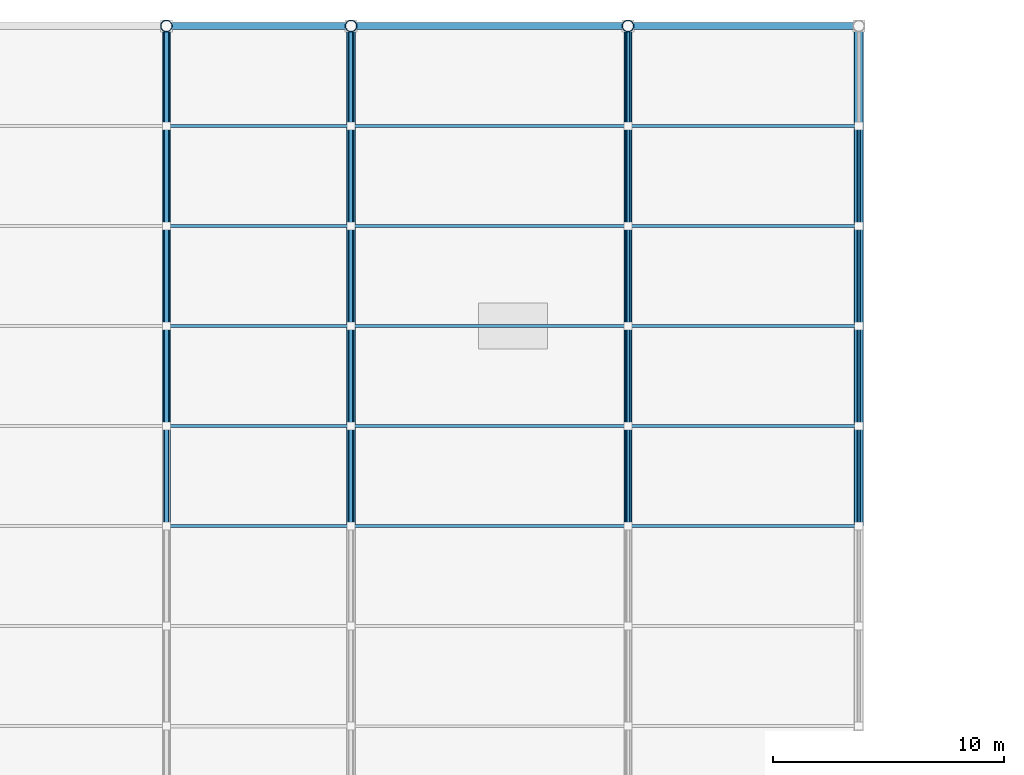
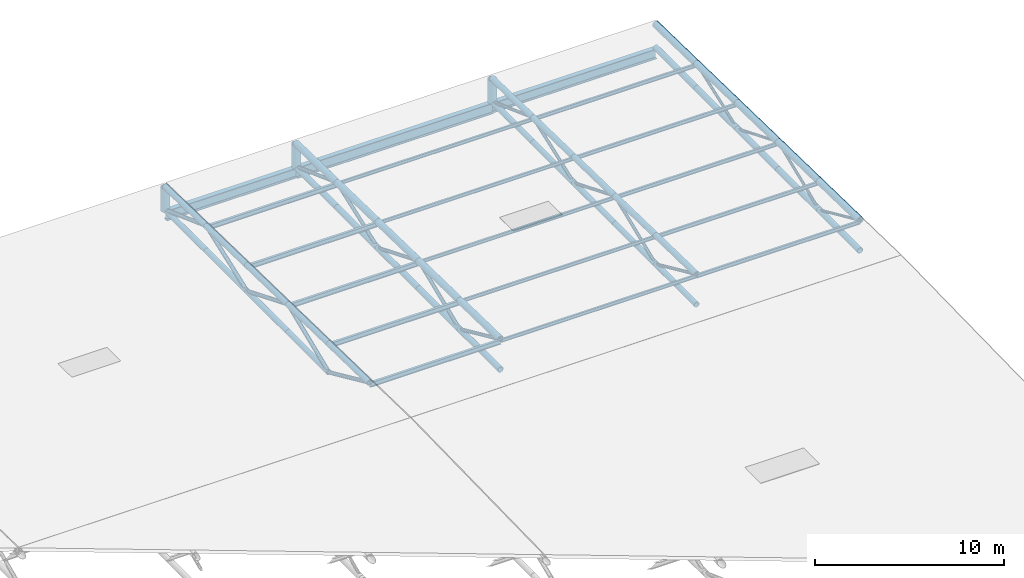
# One storey, part 54 of 75: 76 members, 3 beams.
"""IFC4 building model written with IfcOpenShell, lengths in metres."""

from ifc_helpers import new_model, si_unit, direction, frame, origin, origin_2d, place, context, subcontext, project, spatial, hollow_circle, i_section, extrude, material, material_profile, profile_set, type_object, element, save


model = new_model("IFC4")

# Units and contexts
model_context = context("Model", 3, precision=1e-05, world=origin(), true_north=direction((0.0, 1.0)))
body_context = subcontext(model_context, "Body", "Model", "MODEL_VIEW")
ifc_project = project(units=[si_unit("LENGTHUNIT", "METRE"), si_unit("AREAUNIT", "SQUARE_METRE"), si_unit("VOLUMEUNIT", "CUBIC_METRE"), si_unit("PLANEANGLEUNIT", "RADIAN"), si_unit("MASSUNIT", "GRAM", prefix="KILO")], contexts=[model_context])

# Site, building, storey
site_placement = place(None, origin())
site = spatial("IfcSite", under=ifc_project, at=site_placement, CompositionType="ELEMENT")
building_placement = place(site_placement, origin())
building = spatial("IfcBuilding", under=site, at=building_placement, Name="Khorjan Park Terminus", CompositionType="ELEMENT")
storey_placement = place(building_placement, frame((0.0, 0.0, 16.2)))
storey = spatial("IfcBuildingStorey", under=building, at=storey_placement, Name="L03", CompositionType="ELEMENT", Elevation=16.2)

# Members
ifc_material = material(Name="Steel S355", Category="steel")
ifc_material_profile_1 = material_profile(ifc_material, hollow_circle(Radius=0.0842, WallThickness=0.008, at=origin_2d()), Name="CHS 168.3x8")
ifc_profile_set_1 = profile_set([ifc_material_profile_1], Name="Steel S355")
member_type_1 = type_object("IfcMemberType", Name="MB-BR-168", PredefinedType="BRACE", material=ifc_profile_set_1)
member_1_placement = place(storey_placement, frame((158.0, 132.3333, -0.6417), z_axis=(0.0, 0.911269553162, -0.411810395061), x_axis=(-1.0, 0.0, 0.0)))
element("IfcMember", 1, at=member_1_placement, inside=storey, type_object=member_type_1, Name="Train shed flat truss web diagonal TB-17 (T19)", PredefinedType="BRACE", context=body_context, shape_type="SweptSolid", body=[
    extrude(hollow_circle(Radius=0.0842, WallThickness=0.008, at=origin_2d()), origin(), (0.0, 0.0, 1.0), 4.7553),
])
for number, where, z_axis, x_axis, name in (
    (2, (158.0, 136.6667, -2.6), (0.0, 0.92537575721, 0.379051062481), (-1.0, 0.0, 0.0), "Train shed flat truss web diagonal TB-17 (T19)"),
    (3, (158.0, 141.0, -0.825), (0.0, 0.92537575721, -0.379051062481), (-1.0, 0.0, 0.0), "Train shed flat truss web diagonal TB-17 (T19)"),
):
    element("IfcMember", number, at=place(storey_placement, frame(where, z_axis=z_axis, x_axis=x_axis)), inside=storey, type_object=member_type_1, Name=name, PredefinedType="BRACE", context=body_context, shape_type="SweptSolid", body=[
        extrude(hollow_circle(Radius=0.0842, WallThickness=0.008, at=origin_2d()), origin(), (0.0, 0.0, 1.0), 4.6827),
    ])
member_2_placement = place(storey_placement, frame((158.0, 145.3333, -2.6), z_axis=(0.0, 0.938681062758, 0.344786691187), x_axis=(-1.0, 0.0, 0.0)))
element("IfcMember", 4, at=member_2_placement, inside=storey, type_object=member_type_1, Name="Train shed flat truss web diagonal TB-17 (T19)", PredefinedType="BRACE", context=body_context, shape_type="SweptSolid", body=[
    extrude(hollow_circle(Radius=0.0842, WallThickness=0.008, at=origin_2d()), origin(), (0.0, 0.0, 1.0), 4.6165),
])
ifc_material_profile_2 = material_profile(ifc_material, hollow_circle(Radius=0.0969, WallThickness=0.01, at=origin_2d()), Name="CHS 193.7x10")
ifc_profile_set_2 = profile_set([ifc_material_profile_2], Name="Steel S355")
member_type_2 = type_object("IfcMemberType", Name="MB-BR-194", PredefinedType="BRACE", material=ifc_profile_set_2)
member_3_placement = place(storey_placement, frame((148.0, 132.3333, -0.6417), z_axis=(0.0, 0.911269553162, -0.411810395061), x_axis=(-1.0, 0.0, 0.0)))
element("IfcMember", 5, at=member_3_placement, inside=storey, type_object=member_type_2, Name="Train shed flat truss web diagonal TB-19 (T18)", PredefinedType="BRACE", context=body_context, shape_type="SweptSolid", body=[
    extrude(hollow_circle(Radius=0.0969, WallThickness=0.01, at=origin_2d()), origin(), (0.0, 0.0, 1.0), 4.7553),
])
for number, where, z_axis, x_axis, name in (
    (6, (148.0, 136.6667, -2.6), (0.0, 0.92537575721, 0.379051062481), (-1.0, 0.0, 0.0), "Train shed flat truss web diagonal TB-19 (T18)"),
    (7, (148.0, 141.0, -0.825), (0.0, 0.92537575721, -0.379051062481), (-1.0, 0.0, 0.0), "Train shed flat truss web diagonal TB-19 (T18)"),
):
    element("IfcMember", number, at=place(storey_placement, frame(where, z_axis=z_axis, x_axis=x_axis)), inside=storey, type_object=member_type_2, Name=name, PredefinedType="BRACE", context=body_context, shape_type="SweptSolid", body=[
        extrude(hollow_circle(Radius=0.0969, WallThickness=0.01, at=origin_2d()), origin(), (0.0, 0.0, 1.0), 4.6827),
    ])
member_4_placement = place(storey_placement, frame((148.0, 145.3333, -2.6), z_axis=(0.0, 0.938681062758, 0.344786691187), x_axis=(-1.0, 0.0, 0.0)))
element("IfcMember", 8, at=member_4_placement, inside=storey, type_object=member_type_2, Name="Train shed flat truss web diagonal TB-19 (T18)", PredefinedType="BRACE", context=body_context, shape_type="SweptSolid", body=[
    extrude(hollow_circle(Radius=0.0969, WallThickness=0.01, at=origin_2d()), origin(), (0.0, 0.0, 1.0), 4.6165),
])
member_5_placement = place(storey_placement, frame((148.0, 149.6667, -1.0083), z_axis=(0.0, 0.938678487602, -0.344793701963), x_axis=(-1.0, 0.0, 0.0)))
element("IfcMember", 9, at=member_5_placement, inside=storey, type_object=member_type_2, Name="Train shed flat truss web diagonal TB-19 (T18)", PredefinedType="BRACE", context=body_context, shape_type="SweptSolid", body=[
    extrude(hollow_circle(Radius=0.0969, WallThickness=0.01, at=origin_2d()), origin(), (0.0, 0.0, 1.0), 4.6164),
])
ifc_material_profile_3 = material_profile(ifc_material, hollow_circle(Radius=0.1095, WallThickness=0.01, at=origin_2d()), Name="CHS 219.1x10")
ifc_profile_set_3 = profile_set([ifc_material_profile_3], Name="Steel S355")
member_type_3 = type_object("IfcMemberType", Name="MB-BR-219", PredefinedType="BRACE", material=ifc_profile_set_3)
member_6_placement = place(storey_placement, frame((136.0, 132.3333, -0.6417), z_axis=(0.0, 0.911269553162, -0.411810395061), x_axis=(-1.0, 0.0, 0.0)))
element("IfcMember", 10, at=member_6_placement, inside=storey, type_object=member_type_3, Name="Train shed flat truss web diagonal TB-22 (T17)", PredefinedType="BRACE", context=body_context, shape_type="SweptSolid", body=[
    extrude(hollow_circle(Radius=0.1095, WallThickness=0.01, at=origin_2d()), origin(), (0.0, 0.0, 1.0), 4.7553),
])
for number, where, z_axis, x_axis, name in (
    (11, (136.0, 136.6667, -2.6), (0.0, 0.92537575721, 0.379051062481), (-1.0, 0.0, 0.0), "Train shed flat truss web diagonal TB-22 (T17)"),
    (12, (136.0, 141.0, -0.825), (0.0, 0.92537575721, -0.379051062481), (-1.0, 0.0, 0.0), "Train shed flat truss web diagonal TB-22 (T17)"),
):
    element("IfcMember", number, at=place(storey_placement, frame(where, z_axis=z_axis, x_axis=x_axis)), inside=storey, type_object=member_type_3, Name=name, PredefinedType="BRACE", context=body_context, shape_type="SweptSolid", body=[
        extrude(hollow_circle(Radius=0.1095, WallThickness=0.01, at=origin_2d()), origin(), (0.0, 0.0, 1.0), 4.6827),
    ])
member_7_placement = place(storey_placement, frame((136.0, 145.3333, -2.6), z_axis=(0.0, 0.938681062758, 0.344786691187), x_axis=(-1.0, 0.0, 0.0)))
element("IfcMember", 13, at=member_7_placement, inside=storey, type_object=member_type_3, Name="Train shed flat truss web diagonal TB-22 (T17)", PredefinedType="BRACE", context=body_context, shape_type="SweptSolid", body=[
    extrude(hollow_circle(Radius=0.1095, WallThickness=0.01, at=origin_2d()), origin(), (0.0, 0.0, 1.0), 4.6165),
])
member_8_placement = place(storey_placement, frame((136.0, 149.6667, -1.0083), z_axis=(0.0, 0.938678487602, -0.344793701963), x_axis=(-1.0, 0.0, 0.0)))
element("IfcMember", 14, at=member_8_placement, inside=storey, type_object=member_type_3, Name="Train shed flat truss web diagonal TB-22 (T17)", PredefinedType="BRACE", context=body_context, shape_type="SweptSolid", body=[
    extrude(hollow_circle(Radius=0.1095, WallThickness=0.01, at=origin_2d()), origin(), (0.0, 0.0, 1.0), 4.6164),
])
ifc_material_profile_4 = material_profile(ifc_material, hollow_circle(Radius=0.1222, WallThickness=0.0125, at=origin_2d()), Name="CHS 244.5x12.5")
ifc_profile_set_4 = profile_set([ifc_material_profile_4], Name="Steel S355")
member_type_4 = type_object("IfcMemberType", Name="MB-BR-245", PredefinedType="BRACE", material=ifc_profile_set_4)
member_9_placement = place(storey_placement, frame((128.0, 132.3333, -0.6417), z_axis=(0.0, 0.911269553162, -0.411810395061), x_axis=(-1.0, 0.0, 0.0)))
element("IfcMember", 15, at=member_9_placement, inside=storey, type_object=member_type_4, Name="Train shed flat truss web diagonal TB-24 (T16)", PredefinedType="BRACE", context=body_context, shape_type="SweptSolid", body=[
    extrude(hollow_circle(Radius=0.1222, WallThickness=0.0125, at=origin_2d()), origin(), (0.0, 0.0, 1.0), 4.7553),
])
for number, where, z_axis, x_axis, name in (
    (16, (128.0, 136.6667, -2.6), (0.0, 0.92537575721, 0.379051062481), (-1.0, 0.0, 0.0), "Train shed flat truss web diagonal TB-24 (T16)"),
    (17, (128.0, 141.0, -0.825), (0.0, 0.92537575721, -0.379051062481), (-1.0, 0.0, 0.0), "Train shed flat truss web diagonal TB-24 (T16)"),
):
    element("IfcMember", number, at=place(storey_placement, frame(where, z_axis=z_axis, x_axis=x_axis)), inside=storey, type_object=member_type_4, Name=name, PredefinedType="BRACE", context=body_context, shape_type="SweptSolid", body=[
        extrude(hollow_circle(Radius=0.1222, WallThickness=0.0125, at=origin_2d()), origin(), (0.0, 0.0, 1.0), 4.6827),
    ])
member_10_placement = place(storey_placement, frame((128.0, 145.3333, -2.6), z_axis=(0.0, 0.938681062758, 0.344786691187), x_axis=(-1.0, 0.0, 0.0)))
element("IfcMember", 18, at=member_10_placement, inside=storey, type_object=member_type_4, Name="Train shed flat truss web diagonal TB-24 (T16)", PredefinedType="BRACE", context=body_context, shape_type="SweptSolid", body=[
    extrude(hollow_circle(Radius=0.1222, WallThickness=0.0125, at=origin_2d()), origin(), (0.0, 0.0, 1.0), 4.6165),
])
member_11_placement = place(storey_placement, frame((128.0, 149.6667, -1.0083), z_axis=(0.0, 0.938678487602, -0.344793701963), x_axis=(-1.0, 0.0, 0.0)))
element("IfcMember", 19, at=member_11_placement, inside=storey, type_object=member_type_4, Name="Train shed flat truss web diagonal TB-24 (T16)", PredefinedType="BRACE", context=body_context, shape_type="SweptSolid", body=[
    extrude(hollow_circle(Radius=0.1222, WallThickness=0.0125, at=origin_2d()), origin(), (0.0, 0.0, 1.0), 4.6164),
])
ifc_material_profile_5 = material_profile(ifc_material, hollow_circle(Radius=0.162, WallThickness=0.0125, at=origin_2d()), Name="CHS 323.9x12.5")
ifc_profile_set_5 = profile_set([ifc_material_profile_5], Name="Steel S355")
member_type_5 = type_object("IfcMemberType", Name="MB-CH-324", PredefinedType="CHORD", material=ifc_profile_set_5)
for number, where, z_axis, x_axis, name in (
    (20, (128.0, 136.6667, -2.6), (0.0, 1.0, 0.0), (-1.0, 0.0, 0.0), "Train shed flat truss bottom chord TC-32 (T16)"),
    (21, (128.0, 141.0, -2.6), (0.0, 1.0, 0.0), (-1.0, 0.0, 0.0), "Train shed flat truss bottom chord TC-32 (T16)"),
):
    element("IfcMember", number, at=place(storey_placement, frame(where, z_axis=z_axis, x_axis=x_axis)), inside=storey, type_object=member_type_5, Name=name, PredefinedType="CHORD", context=body_context, shape_type="SweptSolid", body=[
        extrude(hollow_circle(Radius=0.162, WallThickness=0.0125, at=origin_2d()), origin(), (0.0, 0.0, 1.0), 4.3333),
    ])
member_12_placement = place(storey_placement, frame((128.0, 145.3333, -2.6), z_axis=(0.0, 1.0, 0.0), x_axis=(-1.0, 0.0, 0.0)))
element("IfcMember", 22, at=member_12_placement, inside=storey, type_object=member_type_5, Name="Train shed flat truss bottom chord TC-32 (T16)", PredefinedType="CHORD", context=body_context, shape_type="SweptSolid", body=[
    extrude(hollow_circle(Radius=0.162, WallThickness=0.0125, at=origin_2d()), origin(), (0.0, 0.0, 1.0), 4.3334),
])
member_13_placement = place(storey_placement, frame((128.0, 149.6667, -2.6), z_axis=(0.0, 1.0, 0.0), x_axis=(-1.0, 0.0, 0.0)))
element("IfcMember", 23, at=member_13_placement, inside=storey, type_object=member_type_5, Name="Train shed flat truss bottom chord TC-32 (T16)", PredefinedType="CHORD", context=body_context, shape_type="SweptSolid", body=[
    extrude(hollow_circle(Radius=0.162, WallThickness=0.0125, at=origin_2d()), origin(), (0.0, 0.0, 1.0), 4.3333),
])
member_14_placement = place(storey_placement, frame((148.0, 132.3333, -2.6), z_axis=(0.0, 1.0, 0.0), x_axis=(-1.0, 0.0, 0.0)))
element("IfcMember", 24, at=member_14_placement, inside=storey, type_object=member_type_5, Name="Train shed flat truss bottom chord TC-32 (T18)", PredefinedType="CHORD", context=body_context, shape_type="SweptSolid", body=[
    extrude(hollow_circle(Radius=0.162, WallThickness=0.0125, at=origin_2d()), origin(), (0.0, 0.0, 1.0), 4.3334),
])
for number, where, z_axis, x_axis, name in (
    (25, (148.0, 136.6667, -2.6), (0.0, 1.0, 0.0), (-1.0, 0.0, 0.0), "Train shed flat truss bottom chord TC-32 (T18)"),
    (26, (148.0, 141.0, -2.6), (0.0, 1.0, 0.0), (-1.0, 0.0, 0.0), "Train shed flat truss bottom chord TC-32 (T18)"),
):
    element("IfcMember", number, at=place(storey_placement, frame(where, z_axis=z_axis, x_axis=x_axis)), inside=storey, type_object=member_type_5, Name=name, PredefinedType="CHORD", context=body_context, shape_type="SweptSolid", body=[
        extrude(hollow_circle(Radius=0.162, WallThickness=0.0125, at=origin_2d()), origin(), (0.0, 0.0, 1.0), 4.3333),
    ])
member_15_placement = place(storey_placement, frame((148.0, 145.3333, -2.6), z_axis=(0.0, 1.0, 0.0), x_axis=(-1.0, 0.0, 0.0)))
element("IfcMember", 27, at=member_15_placement, inside=storey, type_object=member_type_5, Name="Train shed flat truss bottom chord TC-32 (T18)", PredefinedType="CHORD", context=body_context, shape_type="SweptSolid", body=[
    extrude(hollow_circle(Radius=0.162, WallThickness=0.0125, at=origin_2d()), origin(), (0.0, 0.0, 1.0), 4.3334),
])
member_16_placement = place(storey_placement, frame((148.0, 149.6667, -2.6), z_axis=(0.0, 1.0, 0.0), x_axis=(-1.0, 0.0, 0.0)))
element("IfcMember", 28, at=member_16_placement, inside=storey, type_object=member_type_5, Name="Train shed flat truss bottom chord TC-32 (T18)", PredefinedType="CHORD", context=body_context, shape_type="SweptSolid", body=[
    extrude(hollow_circle(Radius=0.162, WallThickness=0.0125, at=origin_2d()), origin(), (0.0, 0.0, 1.0), 4.3333),
])
ifc_material_profile_6 = material_profile(ifc_material, hollow_circle(Radius=0.1778, WallThickness=0.016, at=origin_2d()), Name="CHS 355.6x16")
ifc_profile_set_6 = profile_set([ifc_material_profile_6], Name="Steel S355")
member_type_6 = type_object("IfcMemberType", Name="MB-CH-356", PredefinedType="CHORD", material=ifc_profile_set_6)
member_17_placement = place(storey_placement, frame((128.0, 132.3333, -0.6417), z_axis=(0.0, 0.999776664437, -0.021133415439), x_axis=(-1.0, 0.0, 0.0)))
element("IfcMember", 29, at=member_17_placement, inside=storey, type_object=member_type_6, Name="Train shed flat truss top chord TC-36 (T16)", PredefinedType="CHORD", context=body_context, shape_type="SweptSolid", body=[
    extrude(hollow_circle(Radius=0.1778, WallThickness=0.016, at=origin_2d()), origin(), (0.0, 0.0, 1.0), 4.3344),
])
for number, where, z_axis, x_axis, name in (
    (30, (128.0, 136.6667, -0.7333), (0.0, 0.999776166375, -0.021156964544), (-1.0, 0.0, 0.0), "Train shed flat truss top chord TC-36 (T16)"),
    (31, (128.0, 141.0, -0.825), (0.0, 0.999776166375, -0.021156964544), (-1.0, 0.0, 0.0), "Train shed flat truss top chord TC-36 (T16)"),
):
    element("IfcMember", number, at=place(storey_placement, frame(where, z_axis=z_axis, x_axis=x_axis)), inside=storey, type_object=member_type_6, Name=name, PredefinedType="CHORD", context=body_context, shape_type="SweptSolid", body=[
        extrude(hollow_circle(Radius=0.1778, WallThickness=0.016, at=origin_2d()), origin(), (0.0, 0.0, 1.0), 4.3343),
    ])
member_18_placement = place(storey_placement, frame((128.0, 145.3333, -0.9167), z_axis=(0.0, 0.999776664437, -0.021133415439), x_axis=(-1.0, 0.0, 0.0)))
element("IfcMember", 32, at=member_18_placement, inside=storey, type_object=member_type_6, Name="Train shed flat truss top chord TC-36 (T16)", PredefinedType="CHORD", context=body_context, shape_type="SweptSolid", body=[
    extrude(hollow_circle(Radius=0.1778, WallThickness=0.016, at=origin_2d()), origin(), (0.0, 0.0, 1.0), 4.3344),
])
member_19_placement = place(storey_placement, frame((128.0, 149.6667, -1.0083), z_axis=(0.0, 0.999776166375, -0.021156964544), x_axis=(-1.0, 0.0, 0.0)))
element("IfcMember", 33, at=member_19_placement, inside=storey, type_object=member_type_6, Name="Train shed flat truss top chord TC-36 (T16)", PredefinedType="CHORD", context=body_context, shape_type="SweptSolid", body=[
    extrude(hollow_circle(Radius=0.1778, WallThickness=0.016, at=origin_2d()), origin(), (0.0, 0.0, 1.0), 4.3343),
])
member_20_placement = place(storey_placement, frame((136.0, 132.3333, -2.6), z_axis=(0.0, 1.0, 0.0), x_axis=(-1.0, 0.0, 0.0)))
element("IfcMember", 34, at=member_20_placement, inside=storey, type_object=member_type_6, Name="Train shed flat truss bottom chord TC-36 (T17)", PredefinedType="CHORD", context=body_context, shape_type="SweptSolid", body=[
    extrude(hollow_circle(Radius=0.1778, WallThickness=0.016, at=origin_2d()), origin(), (0.0, 0.0, 1.0), 4.3334),
])
for number, where, z_axis, x_axis, name in (
    (35, (136.0, 136.6667, -2.6), (0.0, 1.0, 0.0), (-1.0, 0.0, 0.0), "Train shed flat truss bottom chord TC-36 (T17)"),
    (36, (136.0, 141.0, -2.6), (0.0, 1.0, 0.0), (-1.0, 0.0, 0.0), "Train shed flat truss bottom chord TC-36 (T17)"),
):
    element("IfcMember", number, at=place(storey_placement, frame(where, z_axis=z_axis, x_axis=x_axis)), inside=storey, type_object=member_type_6, Name=name, PredefinedType="CHORD", context=body_context, shape_type="SweptSolid", body=[
        extrude(hollow_circle(Radius=0.1778, WallThickness=0.016, at=origin_2d()), origin(), (0.0, 0.0, 1.0), 4.3333),
    ])
member_21_placement = place(storey_placement, frame((136.0, 145.3333, -2.6), z_axis=(0.0, 1.0, 0.0), x_axis=(-1.0, 0.0, 0.0)))
element("IfcMember", 37, at=member_21_placement, inside=storey, type_object=member_type_6, Name="Train shed flat truss bottom chord TC-36 (T17)", PredefinedType="CHORD", context=body_context, shape_type="SweptSolid", body=[
    extrude(hollow_circle(Radius=0.1778, WallThickness=0.016, at=origin_2d()), origin(), (0.0, 0.0, 1.0), 4.3334),
])
member_22_placement = place(storey_placement, frame((136.0, 149.6667, -2.6), z_axis=(0.0, 1.0, 0.0), x_axis=(-1.0, 0.0, 0.0)))
element("IfcMember", 38, at=member_22_placement, inside=storey, type_object=member_type_6, Name="Train shed flat truss bottom chord TC-36 (T17)", PredefinedType="CHORD", context=body_context, shape_type="SweptSolid", body=[
    extrude(hollow_circle(Radius=0.1778, WallThickness=0.016, at=origin_2d()), origin(), (0.0, 0.0, 1.0), 4.3333),
])
member_23_placement = place(storey_placement, frame((148.0, 132.3333, -0.6417), z_axis=(0.0, 0.999776664437, -0.021133415439), x_axis=(-1.0, 0.0, 0.0)))
element("IfcMember", 39, at=member_23_placement, inside=storey, type_object=member_type_6, Name="Train shed flat truss top chord TC-36 (T18)", PredefinedType="CHORD", context=body_context, shape_type="SweptSolid", body=[
    extrude(hollow_circle(Radius=0.1778, WallThickness=0.016, at=origin_2d()), origin(), (0.0, 0.0, 1.0), 4.3344),
])
for number, where, z_axis, x_axis, name in (
    (40, (148.0, 136.6667, -0.7333), (0.0, 0.999776166375, -0.021156964544), (-1.0, 0.0, 0.0), "Train shed flat truss top chord TC-36 (T18)"),
    (41, (148.0, 141.0, -0.825), (0.0, 0.999776166375, -0.021156964544), (-1.0, 0.0, 0.0), "Train shed flat truss top chord TC-36 (T18)"),
):
    element("IfcMember", number, at=place(storey_placement, frame(where, z_axis=z_axis, x_axis=x_axis)), inside=storey, type_object=member_type_6, Name=name, PredefinedType="CHORD", context=body_context, shape_type="SweptSolid", body=[
        extrude(hollow_circle(Radius=0.1778, WallThickness=0.016, at=origin_2d()), origin(), (0.0, 0.0, 1.0), 4.3343),
    ])
member_24_placement = place(storey_placement, frame((148.0, 145.3333, -0.9167), z_axis=(0.0, 0.999776664437, -0.021133415439), x_axis=(-1.0, 0.0, 0.0)))
element("IfcMember", 42, at=member_24_placement, inside=storey, type_object=member_type_6, Name="Train shed flat truss top chord TC-36 (T18)", PredefinedType="CHORD", context=body_context, shape_type="SweptSolid", body=[
    extrude(hollow_circle(Radius=0.1778, WallThickness=0.016, at=origin_2d()), origin(), (0.0, 0.0, 1.0), 4.3344),
])
member_25_placement = place(storey_placement, frame((148.0, 149.6667, -1.0083), z_axis=(0.0, 0.999776166375, -0.021156964544), x_axis=(-1.0, 0.0, 0.0)))
element("IfcMember", 43, at=member_25_placement, inside=storey, type_object=member_type_6, Name="Train shed flat truss top chord TC-36 (T18)", PredefinedType="CHORD", context=body_context, shape_type="SweptSolid", body=[
    extrude(hollow_circle(Radius=0.1778, WallThickness=0.016, at=origin_2d()), origin(), (0.0, 0.0, 1.0), 4.3343),
])
member_26_placement = place(storey_placement, frame((158.0, 132.3333, -2.6), z_axis=(0.0, 1.0, 0.0), x_axis=(-1.0, 0.0, 0.0)))
element("IfcMember", 44, at=member_26_placement, inside=storey, type_object=member_type_6, Name="Train shed flat truss bottom chord TC-36 (T19)", PredefinedType="CHORD", context=body_context, shape_type="SweptSolid", body=[
    extrude(hollow_circle(Radius=0.1778, WallThickness=0.016, at=origin_2d()), origin(), (0.0, 0.0, 1.0), 4.3334),
])
for number, where, z_axis, x_axis, name in (
    (45, (158.0, 136.6667, -2.6), (0.0, 1.0, 0.0), (-1.0, 0.0, 0.0), "Train shed flat truss bottom chord TC-36 (T19)"),
    (46, (158.0, 141.0, -2.6), (0.0, 1.0, 0.0), (-1.0, 0.0, 0.0), "Train shed flat truss bottom chord TC-36 (T19)"),
):
    element("IfcMember", number, at=place(storey_placement, frame(where, z_axis=z_axis, x_axis=x_axis)), inside=storey, type_object=member_type_6, Name=name, PredefinedType="CHORD", context=body_context, shape_type="SweptSolid", body=[
        extrude(hollow_circle(Radius=0.1778, WallThickness=0.016, at=origin_2d()), origin(), (0.0, 0.0, 1.0), 4.3333),
    ])
member_27_placement = place(storey_placement, frame((158.0, 145.3333, -2.6), z_axis=(0.0, 1.0, 0.0), x_axis=(-1.0, 0.0, 0.0)))
element("IfcMember", 47, at=member_27_placement, inside=storey, type_object=member_type_6, Name="Train shed flat truss bottom chord TC-36 (T19)", PredefinedType="CHORD", context=body_context, shape_type="SweptSolid", body=[
    extrude(hollow_circle(Radius=0.1778, WallThickness=0.016, at=origin_2d()), origin(), (0.0, 0.0, 1.0), 4.3334),
])
member_28_placement = place(storey_placement, frame((158.0, 149.6667, -2.6), z_axis=(0.0, 1.0, 0.0), x_axis=(-1.0, 0.0, 0.0)))
element("IfcMember", 48, at=member_28_placement, inside=storey, type_object=member_type_6, Name="Train shed flat truss bottom chord TC-36 (T19)", PredefinedType="CHORD", context=body_context, shape_type="SweptSolid", body=[
    extrude(hollow_circle(Radius=0.1778, WallThickness=0.016, at=origin_2d()), origin(), (0.0, 0.0, 1.0), 4.3333),
])
ifc_material_profile_7 = material_profile(ifc_material, hollow_circle(Radius=0.2032, WallThickness=0.016, at=origin_2d()), Name="CHS 406.4x16")
ifc_profile_set_7 = profile_set([ifc_material_profile_7], Name="Steel S355")
member_type_7 = type_object("IfcMemberType", Name="MB-CH-406", PredefinedType="CHORD", material=ifc_profile_set_7)
member_29_placement = place(storey_placement, frame((136.0, 132.3333, -0.6417), z_axis=(0.0, 0.999776664437, -0.021133415439), x_axis=(-1.0, 0.0, 0.0)))
element("IfcMember", 49, at=member_29_placement, inside=storey, type_object=member_type_7, Name="Train shed flat truss top chord TC-41 (T17)", PredefinedType="CHORD", context=body_context, shape_type="SweptSolid", body=[
    extrude(hollow_circle(Radius=0.2032, WallThickness=0.016, at=origin_2d()), origin(), (0.0, 0.0, 1.0), 4.3344),
])
for number, where, z_axis, x_axis, name in (
    (50, (136.0, 136.6667, -0.7333), (0.0, 0.999776166375, -0.021156964544), (-1.0, 0.0, 0.0), "Train shed flat truss top chord TC-41 (T17)"),
    (51, (136.0, 141.0, -0.825), (0.0, 0.999776166375, -0.021156964544), (-1.0, 0.0, 0.0), "Train shed flat truss top chord TC-41 (T17)"),
):
    element("IfcMember", number, at=place(storey_placement, frame(where, z_axis=z_axis, x_axis=x_axis)), inside=storey, type_object=member_type_7, Name=name, PredefinedType="CHORD", context=body_context, shape_type="SweptSolid", body=[
        extrude(hollow_circle(Radius=0.2032, WallThickness=0.016, at=origin_2d()), origin(), (0.0, 0.0, 1.0), 4.3343),
    ])
member_30_placement = place(storey_placement, frame((136.0, 145.3333, -0.9167), z_axis=(0.0, 0.999776664437, -0.021133415439), x_axis=(-1.0, 0.0, 0.0)))
element("IfcMember", 52, at=member_30_placement, inside=storey, type_object=member_type_7, Name="Train shed flat truss top chord TC-41 (T17)", PredefinedType="CHORD", context=body_context, shape_type="SweptSolid", body=[
    extrude(hollow_circle(Radius=0.2032, WallThickness=0.016, at=origin_2d()), origin(), (0.0, 0.0, 1.0), 4.3344),
])
member_31_placement = place(storey_placement, frame((136.0, 149.6667, -1.0083), z_axis=(0.0, 0.999776166375, -0.021156964544), x_axis=(-1.0, 0.0, 0.0)))
element("IfcMember", 53, at=member_31_placement, inside=storey, type_object=member_type_7, Name="Train shed flat truss top chord TC-41 (T17)", PredefinedType="CHORD", context=body_context, shape_type="SweptSolid", body=[
    extrude(hollow_circle(Radius=0.2032, WallThickness=0.016, at=origin_2d()), origin(), (0.0, 0.0, 1.0), 4.3343),
])
member_32_placement = place(storey_placement, frame((158.0, 132.3333, -0.6417), z_axis=(0.0, 0.999776664437, -0.021133415439), x_axis=(-1.0, 0.0, 0.0)))
element("IfcMember", 54, at=member_32_placement, inside=storey, type_object=member_type_7, Name="Train shed flat truss top chord TC-41 (T19)", PredefinedType="CHORD", context=body_context, shape_type="SweptSolid", body=[
    extrude(hollow_circle(Radius=0.2032, WallThickness=0.016, at=origin_2d()), origin(), (0.0, 0.0, 1.0), 4.3344),
])
for number, where, z_axis, x_axis, name in (
    (55, (158.0, 136.6667, -0.7333), (0.0, 0.999776166375, -0.021156964544), (-1.0, 0.0, 0.0), "Train shed flat truss top chord TC-41 (T19)"),
    (56, (158.0, 141.0, -0.825), (0.0, 0.999776166375, -0.021156964544), (-1.0, 0.0, 0.0), "Train shed flat truss top chord TC-41 (T19)"),
):
    element("IfcMember", number, at=place(storey_placement, frame(where, z_axis=z_axis, x_axis=x_axis)), inside=storey, type_object=member_type_7, Name=name, PredefinedType="CHORD", context=body_context, shape_type="SweptSolid", body=[
        extrude(hollow_circle(Radius=0.2032, WallThickness=0.016, at=origin_2d()), origin(), (0.0, 0.0, 1.0), 4.3343),
    ])
member_33_placement = place(storey_placement, frame((158.0, 145.3333, -0.9167), z_axis=(0.0, 0.999776664437, -0.021133415439), x_axis=(-1.0, 0.0, 0.0)))
element("IfcMember", 57, at=member_33_placement, inside=storey, type_object=member_type_7, Name="Train shed flat truss top chord TC-41 (T19)", PredefinedType="CHORD", context=body_context, shape_type="SweptSolid", body=[
    extrude(hollow_circle(Radius=0.2032, WallThickness=0.016, at=origin_2d()), origin(), (0.0, 0.0, 1.0), 4.3344),
])
member_34_placement = place(storey_placement, frame((158.0, 149.6667, -1.0083), z_axis=(0.0, 0.999776166375, -0.021156964544), x_axis=(-1.0, 0.0, 0.0)))
element("IfcMember", 58, at=member_34_placement, inside=storey, type_object=member_type_7, Name="Train shed flat truss top chord TC-41 (T19)", PredefinedType="CHORD", context=body_context, shape_type="SweptSolid", body=[
    extrude(hollow_circle(Radius=0.2032, WallThickness=0.016, at=origin_2d()), origin(), (0.0, 0.0, 1.0), 4.3343),
])
ifc_material_profile_8 = material_profile(ifc_material, i_section(OverallWidth=0.11, OverallDepth=0.22, WebThickness=0.0059, FlangeThickness=0.0092, FilletRadius=0.012, at=origin_2d()), Name="IPE 220")
ifc_profile_set_8 = profile_set([ifc_material_profile_8], Name="Steel S355")
member_type_8 = type_object("IfcMemberType", Name="MB-PR-IPE220", PredefinedType="PURLIN", material=ifc_profile_set_8)
for number, where, z_axis, x_axis, name in (
    (59, (136.0, 132.3333, -0.7317), (1.0, 0.0, 0.0), (0.0, 1.0, 0.0), "Train shed secondary roof purlin PR-22 (Bay 17)"),
    (60, (136.0, 136.6667, -0.8233), (1.0, 0.0, 0.0), (0.0, 1.0, 0.0), "Train shed secondary roof purlin PR-22 (Bay 17)"),
    (61, (136.0, 141.0, -0.915), (1.0, 0.0, 0.0), (0.0, 1.0, 0.0), "Train shed secondary roof purlin PR-22 (Bay 17)"),
    (62, (136.0, 145.3333, -1.0067), (1.0, 0.0, 0.0), (0.0, 1.0, 0.0), "Train shed secondary roof purlin PR-22 (Bay 17)"),
    (63, (136.0, 149.6667, -1.0983), (1.0, 0.0, 0.0), (0.0, 1.0, 0.0), "Train shed secondary roof purlin PR-22 (Bay 17)"),
):
    element("IfcMember", number, at=place(storey_placement, frame(where, z_axis=z_axis, x_axis=x_axis)), inside=storey, type_object=member_type_8, Name=name, PredefinedType="PURLIN", context=body_context, shape_type="SweptSolid", body=[
        extrude(i_section(OverallWidth=0.11, OverallDepth=0.22, WebThickness=0.0059, FlangeThickness=0.0092, FilletRadius=0.012, at=origin_2d()), origin(), (0.0, 0.0, 1.0), 12.0),
    ])
ifc_material_profile_9 = material_profile(ifc_material, i_section(OverallWidth=0.12, OverallDepth=0.24, WebThickness=0.0062, FlangeThickness=0.0098, FilletRadius=0.015, at=origin_2d()), Name="IPE 240")
ifc_profile_set_9 = profile_set([ifc_material_profile_9], Name="Steel S355")
member_type_9 = type_object("IfcMemberType", Name="MB-PR-IPE240", PredefinedType="PURLIN", material=ifc_profile_set_9)
for number, where, z_axis, x_axis, name in (
    (64, (148.0, 132.3333, -0.7417), (1.0, 0.0, 0.0), (0.0, 1.0, 0.0), "Train shed secondary roof purlin PR-24 (Bay 18)"),
    (65, (148.0, 136.6667, -0.8333), (1.0, 0.0, 0.0), (0.0, 1.0, 0.0), "Train shed secondary roof purlin PR-24 (Bay 18)"),
    (66, (148.0, 141.0, -0.925), (1.0, 0.0, 0.0), (0.0, 1.0, 0.0), "Train shed secondary roof purlin PR-24 (Bay 18)"),
    (67, (148.0, 145.3333, -1.0167), (1.0, 0.0, 0.0), (0.0, 1.0, 0.0), "Train shed secondary roof purlin PR-24 (Bay 18)"),
    (68, (148.0, 149.6667, -1.1083), (1.0, 0.0, 0.0), (0.0, 1.0, 0.0), "Train shed secondary roof purlin PR-24 (Bay 18)"),
):
    element("IfcMember", number, at=place(storey_placement, frame(where, z_axis=z_axis, x_axis=x_axis)), inside=storey, type_object=member_type_9, Name=name, PredefinedType="PURLIN", context=body_context, shape_type="SweptSolid", body=[
        extrude(i_section(OverallWidth=0.12, OverallDepth=0.24, WebThickness=0.0062, FlangeThickness=0.0098, FilletRadius=0.015, at=origin_2d()), origin(), (0.0, 0.0, 1.0), 10.0),
    ])
ifc_material_profile_10 = material_profile(ifc_material, i_section(OverallWidth=0.15, OverallDepth=0.3, WebThickness=0.0071, FlangeThickness=0.0107, FilletRadius=0.015, at=origin_2d()), Name="IPE 300")
ifc_profile_set_10 = profile_set([ifc_material_profile_10], Name="Steel S355")
member_type_10 = type_object("IfcMemberType", Name="MB-PR-IPE300", PredefinedType="PURLIN", material=ifc_profile_set_10)
for number, where, z_axis, x_axis, name in (
    (69, (128.0, 132.3333, -0.7717), (1.0, 0.0, 0.0), (0.0, 1.0, 0.0), "Train shed secondary roof purlin PR-30 (Bay 16)"),
    (70, (128.0, 136.6667, -0.8633), (1.0, 0.0, 0.0), (0.0, 1.0, 0.0), "Train shed secondary roof purlin PR-30 (Bay 16)"),
    (71, (128.0, 141.0, -0.955), (1.0, 0.0, 0.0), (0.0, 1.0, 0.0), "Train shed secondary roof purlin PR-30 (Bay 16)"),
    (72, (128.0, 145.3333, -1.0467), (1.0, 0.0, 0.0), (0.0, 1.0, 0.0), "Train shed secondary roof purlin PR-30 (Bay 16)"),
    (73, (128.0, 149.6667, -1.1383), (1.0, 0.0, 0.0), (0.0, 1.0, 0.0), "Train shed secondary roof purlin PR-30 (Bay 16)"),
):
    element("IfcMember", number, at=place(storey_placement, frame(where, z_axis=z_axis, x_axis=x_axis)), inside=storey, type_object=member_type_10, Name=name, PredefinedType="PURLIN", context=body_context, shape_type="SweptSolid", body=[
        extrude(i_section(OverallWidth=0.15, OverallDepth=0.3, WebThickness=0.0071, FlangeThickness=0.0107, FilletRadius=0.015, at=origin_2d()), origin(), (0.0, 0.0, 1.0), 8.0),
    ])
ifc_material_profile_11 = material_profile(ifc_material, hollow_circle(Radius=0.254, WallThickness=0.02, at=origin_2d()), Name="CHS 508x20")
ifc_profile_set_11 = profile_set([ifc_material_profile_11], Name="Steel S355")
member_type_11 = type_object("IfcMemberType", Name="MB-STE-508", PredefinedType="STRUT", material=ifc_profile_set_11)
for number, where, z_axis, x_axis, name in (
    (74, (128.0, 154.0, -2.62), (0.0, 0.0, 1.0), (1.0, 0.0, 0.0), "Train shed flat truss end post STE-51 (T16-N)"),
    (75, (136.0, 154.0, -2.62), (0.0, 0.0, 1.0), (1.0, 0.0, 0.0), "Train shed flat truss end post STE-51 (T17-N)"),
    (76, (148.0, 154.0, -2.62), (0.0, 0.0, 1.0), (1.0, 0.0, 0.0), "Train shed flat truss end post STE-51 (T18-N)"),
):
    element("IfcMember", number, at=place(storey_placement, frame(where, z_axis=z_axis, x_axis=x_axis)), inside=storey, type_object=member_type_11, Name=name, PredefinedType="STRUT", context=body_context, shape_type="SweptSolid", body=[
        extrude(hollow_circle(Radius=0.254, WallThickness=0.02, at=origin_2d()), origin(), (0.0, 0.0, 1.0), 1.52),
    ])

# Beams
ifc_material_profile_12 = material_profile(ifc_material, i_section(OverallWidth=0.3, OverallDepth=0.65, WebThickness=0.016, FlangeThickness=0.031, FilletRadius=0.027, at=origin_2d()), Name="HEB 650")
ifc_profile_set_12 = profile_set([ifc_material_profile_12], Name="Steel S355")
beam_type_1 = type_object("IfcBeamType", Name="SP-HEB650E", PredefinedType="SPANDREL", material=ifc_profile_set_12)
beam_1_placement = place(storey_placement, frame((128.0, 154.0, -2.925), z_axis=(1.0, 0.0, 0.0), x_axis=(0.0, 1.0, 0.0)))
element("IfcBeam", 77, at=beam_1_placement, inside=storey, type_object=beam_type_1, Name="Train shed horizontal eave fascia girder SP-E65 (N16)", PredefinedType="SPANDREL", context=body_context, shape_type="SweptSolid", body=[
    extrude(i_section(OverallWidth=0.3, OverallDepth=0.65, WebThickness=0.016, FlangeThickness=0.031, FilletRadius=0.027, at=origin_2d()), origin(), (0.0, 0.0, 1.0), 8.0),
])
beam_2_placement = place(storey_placement, frame((148.0, 154.0, -2.925), z_axis=(1.0, 0.0, 0.0), x_axis=(0.0, 1.0, 0.0)))
element("IfcBeam", 78, at=beam_2_placement, inside=storey, type_object=beam_type_1, Name="Train shed horizontal eave fascia girder SP-E65 (N18)", PredefinedType="SPANDREL", context=body_context, shape_type="SweptSolid", body=[
    extrude(i_section(OverallWidth=0.3, OverallDepth=0.65, WebThickness=0.016, FlangeThickness=0.031, FilletRadius=0.027, at=origin_2d()), origin(), (0.0, 0.0, 1.0), 10.0),
])
ifc_material_profile_13 = material_profile(ifc_material, i_section(OverallWidth=0.3, OverallDepth=0.7, WebThickness=0.017, FlangeThickness=0.032, FilletRadius=0.027, at=origin_2d()), Name="HEB 700")
ifc_profile_set_13 = profile_set([ifc_material_profile_13], Name="Steel S355")
beam_type_2 = type_object("IfcBeamType", Name="SP-HEB700E", PredefinedType="SPANDREL", material=ifc_profile_set_13)
beam_3_placement = place(storey_placement, frame((136.0, 154.0, -2.95), z_axis=(1.0, 0.0, 0.0), x_axis=(0.0, 1.0, 0.0)))
element("IfcBeam", 79, at=beam_3_placement, inside=storey, type_object=beam_type_2, Name="Train shed horizontal eave fascia girder SP-E70 (N17)", PredefinedType="SPANDREL", context=body_context, shape_type="SweptSolid", body=[
    extrude(i_section(OverallWidth=0.3, OverallDepth=0.7, WebThickness=0.017, FlangeThickness=0.032, FilletRadius=0.027, at=origin_2d()), origin(), (0.0, 0.0, 1.0), 12.0),
])

save(model, "model.ifc")
